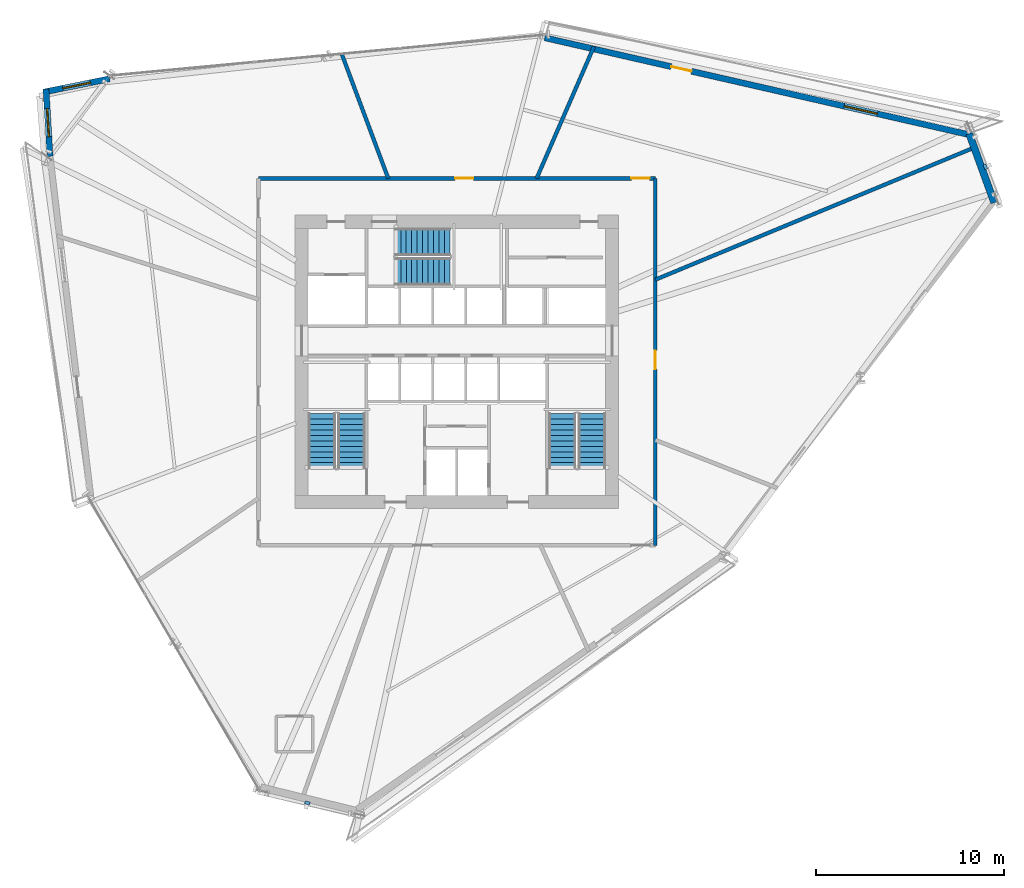
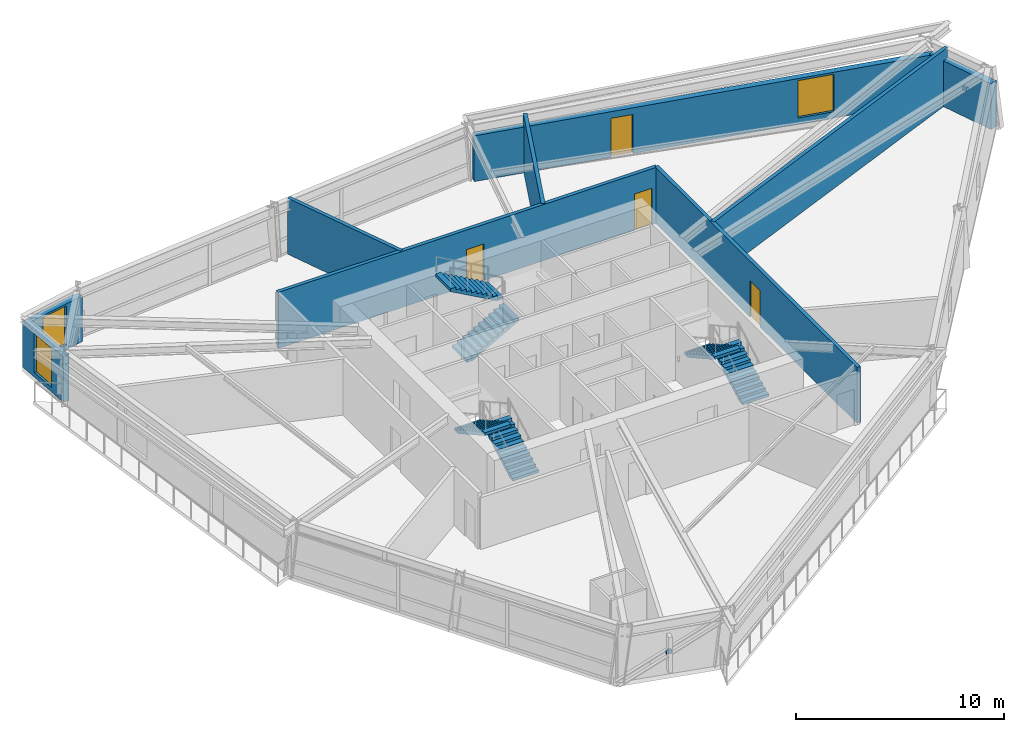
# One storey, part 13 of 17: 9 walls, 6 stair flights, 4 doors, 3 windows, 2 discrete accessories, 7 openings, 3 elements without a shape of their own.
"""IFC4 building model written with IfcOpenShell, lengths in metres."""

from ifc_helpers import new_model, si_unit, direction, frame, frame_2d, origin, origin_2d, place, context, subcontext, project, spatial, polyline, rectangle, outline, extrude, source, transform, mapped, material, layer, layer_set, type_object, type_shapes, element, fill, aggregate, save


model = new_model("IFC4")

# Units and contexts
model_context = context("Model", 3, precision=1e-05, world=origin(), true_north=direction((0.0, 1.0)))
body_context = subcontext(model_context, "Body", "Model", "MODEL_VIEW")
ifc_project = project(units=[si_unit("LENGTHUNIT", "METRE"), si_unit("AREAUNIT", "SQUARE_METRE"), si_unit("VOLUMEUNIT", "CUBIC_METRE"), si_unit("PLANEANGLEUNIT", "RADIAN"), si_unit("MASSUNIT", "GRAM", prefix="KILO")], contexts=[model_context])

# Site, building, storey
site_placement = place(None, origin())
site = spatial("IfcSite", under=ifc_project, at=site_placement, CompositionType="ELEMENT")
building_placement = place(site_placement, origin())
building = spatial("IfcBuilding", under=site, at=building_placement, Name="Olszyna Solenne Hotel", CompositionType="ELEMENT")
storey_placement = place(building_placement, frame((0.0, 0.0, 116.35009765625)))
storey = spatial("IfcBuildingStorey", under=building, at=storey_placement, Name="L30", CompositionType="ELEMENT", Elevation=116.35009765625)

# Wall, opening, window
ifc_material_1 = material(Name="Precast concrete C45/55", Category="concrete")
ifc_layer_1 = layer(ifc_material_1, 0.320068359375, Name="Precast concrete C45/55")
ifc_layer_set_1 = layer_set([ifc_layer_1], Name="Precast concrete C45/55")
wall_type_1 = type_object("IfcWallType", Name="WL-EX320", PredefinedType="SOLIDWALL", material=ifc_layer_set_1)
wall_1_placement = place(storey_placement, frame((16.3740234375, 37.52685546875, 0.0), z_axis=(0.0, 0.0, 1.0), x_axis=(-0.059001592377, 0.998257888572, 0.0)))
wall_1 = element("IfcWall", 1, at=wall_1_placement, inside=storey, type_object=wall_type_1, Name="Exterior terracotta-precast frame wall WL-EX320 EW-L30-05", PredefinedType="SOLIDWALL", context=body_context, shape_type="SweptSolid", body=[
    extrude(rectangle(XDim=3.58349609375, YDim=0.320068359375, at=frame_2d((1.791748046875, 0.0))), origin(), (0.0, 0.0, 1.0), 2.69189453125),
])
opening_1_placement = place(wall_1_placement, frame((1.0419921875, 0.0, 0.27197265625)))
opening_1 = element("IfcOpeningElement", 2, at=opening_1_placement, cuts=wall_1, Name="Opening WN-L30-170", PredefinedType="OPENING", context=body_context, shape_type="SweptSolid", body=[
    extrude(rectangle(XDim=1.5, YDim=2.300048828125, at=frame_2d((0.75, 1.14990234375))), frame((0.0, 0.169921875, 0.0), z_axis=(0.0, -1.0, 0.0), x_axis=(1.0, 0.0, 0.0)), (0.0, 0.0, 1.0), 0.340087890625),
])
ifc_material_2 = material(Name="Low-E triple glazing", Category="glass")
window_type_1 = type_object("IfcWindowType", Name="WN-CH1", PartitioningType="SINGLE_PANEL", PredefinedType="WINDOW", material=ifc_material_2)
shared_shape_1 = source(origin(), body_context, "Body", "SweptSolid", [
    extrude(rectangle(XDim=1.5, YDim=2.300048828125, at=frame_2d((0.75, 1.14990234375))), frame((0.0, 0.030029296875, 0.0), z_axis=(0.0, -1.0, 0.0), x_axis=(1.0, 0.0, 0.0)), (0.0, 0.0, 1.0), 0.06005859375),
])
type_shapes(window_type_1, [shared_shape_1])
window_1_placement = place(opening_1_placement, origin())
window_1 = element("IfcWindow", 3, at=window_1_placement, inside=storey, type_object=window_type_1, Name="Exterior facade window WN-CH1 WN-L30-170", OverallHeight=2.300048828125, OverallWidth=1.5, PartitioningType="SINGLE_PANEL", PredefinedType="WINDOW", context=body_context, shape_type="MappedRepresentation", body=[
    mapped(shared_shape_1, transform((0.0, 0.0, 0.0), x_axis=(1.0, 0.0, 0.0), y_axis=(0.0, 1.0, 0.0), z_axis=(0.0, 0.0, 1.0), scale=1.0)),
])
fill(opening_1, window_1)

wall_2_placement = place(storey_placement, frame((16.03466796875, 40.937744140625, 0.0), z_axis=(0.0, 0.0, 1.0), x_axis=(0.98019093966, 0.198054845457, 0.0)))
wall_2 = element("IfcWall", 4, at=wall_2_placement, inside=storey, type_object=wall_type_1, Name="Exterior terracotta-precast frame wall WL-EX320 EW-L30-06", PredefinedType="SOLIDWALL", context=body_context, shape_type="SweptSolid", body=[
    extrude(rectangle(XDim=3.58349609375, YDim=0.320068359375, at=frame_2d((1.791748046875, 0.0))), origin(), (0.0, 0.0, 1.0), 2.69189453125),
])
opening_2_placement = place(wall_2_placement, frame((1.0419921875, 0.0, 0.27197265625)))
opening_2 = element("IfcOpeningElement", 5, at=opening_2_placement, cuts=wall_2, Name="Opening WN-L30-171", PredefinedType="OPENING", context=body_context, shape_type="SweptSolid", body=[
    extrude(rectangle(XDim=1.5, YDim=2.300048828125, at=frame_2d((0.75, 1.14990234375))), frame((0.0, 0.169921875, 0.0), z_axis=(0.0, -1.0, 0.0), x_axis=(1.0, 0.0, 0.0)), (0.0, 0.0, 1.0), 0.340087890625),
])
window_2_placement = place(opening_2_placement, origin())
window_2 = element("IfcWindow", 6, at=window_2_placement, inside=storey, type_object=window_type_1, Name="Exterior facade window WN-CH1 WN-L30-171", OverallHeight=2.300048828125, OverallWidth=1.5, PartitioningType="SINGLE_PANEL", PredefinedType="WINDOW", context=body_context, shape_type="MappedRepresentation", body=[
    mapped(shared_shape_1, transform((0.0, 0.0, 0.0), x_axis=(1.0, 0.0, 0.0), y_axis=(0.0, 1.0, 0.0), z_axis=(0.0, 0.0, 1.0), scale=1.0)),
])
fill(opening_2, window_2)

# Wall, openings, door, window
wall_3_placement = place(storey_placement, frame((42.668212890625, 43.827880859375, 0.0), z_axis=(0.0, 0.0, 1.0), x_axis=(0.974904675979, -0.222622713923, 0.0)))
wall_3 = element("IfcWall", 7, at=wall_3_placement, inside=storey, type_object=wall_type_1, Name="Exterior terracotta-precast frame wall WL-EX320 EW-L30-08", PredefinedType="SOLIDWALL", context=body_context, shape_type="SweptSolid", body=[
    extrude(rectangle(XDim=23.290771484375, YDim=0.320068359375, at=frame_2d((11.6455078125, 0.0))), origin(), (0.0, 0.0, 1.0), 2.69189453125),
])
opening_3_placement = place(wall_3_placement, frame((6.903076171875, 0.0, 0.0)))
opening_3 = element("IfcOpeningElement", 8, at=opening_3_placement, cuts=wall_3, Name="Opening LDG-L30-1", PredefinedType="OPENING", context=body_context, shape_type="SweptSolid", body=[
    extrude(rectangle(XDim=1.10009765625, YDim=2.300048828125, at=frame_2d((0.550048828125, 1.14990234375))), frame((0.0, 0.169921875, 0.0), z_axis=(0.0, -1.0, 0.0), x_axis=(1.0, 0.0, 0.0)), (0.0, 0.0, 1.0), 0.340087890625),
])
opening_4_placement = place(wall_3_placement, frame((16.3349609375, 0.0, 0.3720703125)))
opening_4 = element("IfcOpeningElement", 9, at=opening_4_placement, cuts=wall_3, Name="Opening WN-L30-172", PredefinedType="OPENING", context=body_context, shape_type="SweptSolid", body=[
    extrude(rectangle(XDim=1.800048828125, YDim=2.199951171875, at=frame_2d((0.89990234375, 1.10009765625))), frame((0.0, 0.169921875, 0.0), z_axis=(0.0, -1.0, 0.0), x_axis=(1.0, 0.0, 0.0)), (0.0, 0.0, 1.0), 0.340087890625),
])
ifc_material_3 = material(Name="Anodised bronze aluminium", Category="aluminium")
door_type_1 = type_object("IfcDoorType", Name="DR-LG1", OperationType="NOTDEFINED", PredefinedType="DOOR", material=ifc_material_3)
shared_shape_2 = source(origin(), body_context, "Body", "SweptSolid", [
    extrude(rectangle(XDim=1.10009765625, YDim=2.300048828125, at=frame_2d((0.550048828125, 1.14990234375))), frame((0.0, 0.02490234375, 0.0), z_axis=(0.0, -1.0, 0.0), x_axis=(1.0, 0.0, 0.0)), (0.0, 0.0, 1.0), 0.050048828125),
])
type_shapes(door_type_1, [shared_shape_2])
door_1_placement = place(opening_3_placement, origin())
door_1 = element("IfcDoor", 10, at=door_1_placement, inside=storey, type_object=door_type_1, Name="Exterior loggia balcony door DR-LG1 LDG-L30-1", OperationType="SINGLE_SWING_RIGHT", OverallHeight=2.300048828125, OverallWidth=1.10009765625, PredefinedType="DOOR", context=body_context, shape_type="MappedRepresentation", body=[
    mapped(shared_shape_2, transform((0.0, 0.0, 0.0), x_axis=(1.0, 0.0, 0.0), y_axis=(0.0, 1.0, 0.0), z_axis=(0.0, 0.0, 1.0), scale=1.0)),
])
fill(opening_3, door_1)
window_type_2 = type_object("IfcWindowType", Name="WN-HT1", PartitioningType="SINGLE_PANEL", PredefinedType="WINDOW", material=ifc_material_2)
shared_shape_3 = source(origin(), body_context, "Body", "SweptSolid", [
    extrude(rectangle(XDim=1.800048828125, YDim=2.199951171875, at=frame_2d((0.89990234375, 1.10009765625))), frame((0.0, 0.030029296875, 0.0), z_axis=(0.0, -1.0, 0.0), x_axis=(1.0, 0.0, 0.0)), (0.0, 0.0, 1.0), 0.06005859375),
])
type_shapes(window_type_2, [shared_shape_3])
window_3_placement = place(opening_4_placement, origin())
window_3 = element("IfcWindow", 11, at=window_3_placement, inside=storey, type_object=window_type_2, Name="Loggia room window WN-HT1 WN-L30-172", OverallHeight=2.199951171875, OverallWidth=1.800048828125, PartitioningType="SINGLE_PANEL", PredefinedType="WINDOW", context=body_context, shape_type="MappedRepresentation", body=[
    mapped(shared_shape_3, transform((0.0, 0.0, 0.0), x_axis=(1.0, 0.0, 0.0), y_axis=(0.0, 1.0, 0.0), z_axis=(0.0, 0.0, 1.0), scale=1.0)),
])
fill(opening_4, window_3)

# Walls
ifc_material_4 = material(Name="Terracotta cladding on precast concrete C45/55", Category="masonry")
ifc_layer_2 = layer(ifc_material_4, 0.3798828125, Name="Terracotta cladding on precast concrete C45/55")
ifc_layer_set_2 = layer_set([ifc_layer_2], Name="Terracotta cladding on precast concrete C45/55")
wall_type_2 = type_object("IfcWallType", Name="WL-EX380", PredefinedType="SOLIDWALL", material=ifc_layer_set_2)
wall_4_placement = place(storey_placement, frame((65.231689453125, 38.734130859375, 0.0), z_axis=(0.0, 0.0, 1.0), x_axis=(0.341220774619, -0.93998318228, 0.0)))
element("IfcWall", 12, at=wall_4_placement, inside=storey, type_object=wall_type_2, Name="Exterior terracotta-precast frame wall WL-EX380 EW-L30-09", PredefinedType="SOLIDWALL", context=body_context, shape_type="SweptSolid", body=[
    extrude(rectangle(XDim=3.90380859375, YDim=0.3798828125, at=frame_2d((1.951904296875, 0.0))), origin(), (0.0, 0.0, 1.0), 2.69189453125),
])
ifc_material_5 = material(Name="Acoustic gypsum partition", Category="gypsum")
ifc_layer_3 = layer(ifc_material_5, 0.199951171875, Name="Acoustic gypsum partition")
ifc_layer_set_3 = layer_set([ifc_layer_3], Name="Acoustic gypsum partition")
wall_type_3 = type_object("IfcWallType", Name="WL-PT200", PredefinedType="PARTITIONING", material=ifc_layer_set_3)
wall_5_placement = place(storey_placement, frame((48.550048828125, 30.969970703125, 0.0), z_axis=(0.0, 0.0, 1.0), x_axis=(0.923878084322, 0.382686928585, 0.0)))
element("IfcWall", 13, at=wall_5_placement, inside=storey, type_object=wall_type_3, Name="Interior acoustic partition WL-PT200 PW-L30-1737", PredefinedType="PARTITIONING", context=body_context, shape_type="SweptSolid", body=[
    extrude(rectangle(XDim=18.508056640625, YDim=0.199951171875, at=frame_2d((9.25390625, 0.0))), origin(), (0.0, 0.0, 1.0), 3.2998046875),
])
wall_6_placement = place(storey_placement, frame((42.239501953125, 36.35009765625, 0.0), z_axis=(0.0, 0.0, 1.0), x_axis=(0.39876113376, 0.917054828351, 0.0)))
element("IfcWall", 14, at=wall_6_placement, inside=storey, type_object=wall_type_3, Name="Interior acoustic partition WL-PT200 PW-L30-1738", PredefinedType="PARTITIONING", context=body_context, shape_type="SweptSolid", body=[
    extrude(rectangle(XDim=7.64697265625, YDim=0.199951171875, at=frame_2d((3.823486328125, 0.0))), origin(), (0.0, 0.0, 1.0), 3.2998046875),
])
wall_7_placement = place(storey_placement, frame((34.3544921875, 36.35009765625, 0.0), z_axis=(0.0, 0.0, 1.0), x_axis=(-0.350202617088, 0.936673970485, 0.0)))
element("IfcWall", 15, at=wall_7_placement, inside=storey, type_object=wall_type_3, Name="Interior acoustic partition WL-PT200 PW-L30-1739", PredefinedType="PARTITIONING", context=body_context, shape_type="SweptSolid", body=[
    extrude(rectangle(XDim=7.03271484375, YDim=0.199951171875, at=frame_2d((3.516357421875, 0.0))), origin(), (0.0, 0.0, 1.0), 3.2998046875),
])

# Wall, openings, doors
wall_8_placement = place(storey_placement, frame((27.449951171875, 36.35009765625, 0.0), z_axis=(0.0, 0.0, 1.0), x_axis=(1.0, 0.0, 0.0)))
wall_8 = element("IfcWall", 16, at=wall_8_placement, inside=storey, type_object=wall_type_3, Name="Interior acoustic partition WL-PT200 PW-L30-1748", PredefinedType="PARTITIONING", context=body_context, shape_type="SweptSolid", body=[
    extrude(rectangle(XDim=21.10009765625, YDim=0.199951171875, at=frame_2d((10.550048828125, 0.0))), origin(), (0.0, 0.0, 1.0), 3.2998046875),
])
opening_5_placement = place(wall_8_placement, frame((19.820068359375, 0.0, 0.0)))
opening_5 = element("IfcOpeningElement", 17, at=opening_5_placement, cuts=wall_8, Name="Opening DR-L30-0419", PredefinedType="OPENING", context=body_context, shape_type="SweptSolid", body=[
    extrude(rectangle(XDim=0.97998046875, YDim=2.14990234375, at=frame_2d((0.489990234375, 1.074951171875))), frame((0.0, 0.10986328125, 0.0), z_axis=(0.0, -1.0, 0.0), x_axis=(1.0, 0.0, 0.0)), (0.0, 0.0, 1.0), 0.219970703125),
])
opening_6_placement = place(wall_8_placement, frame((10.4541015625, 0.0, 0.0)))
opening_6 = element("IfcOpeningElement", 18, at=opening_6_placement, cuts=wall_8, Name="Opening DR-L30-0420", PredefinedType="OPENING", context=body_context, shape_type="SweptSolid", body=[
    extrude(rectangle(XDim=0.97998046875, YDim=2.14990234375, at=frame_2d((0.489990234375, 1.074951171875))), frame((0.0, 0.10986328125, 0.0), z_axis=(0.0, -1.0, 0.0), x_axis=(1.0, 0.0, 0.0)), (0.0, 0.0, 1.0), 0.219970703125),
])
ifc_material_6 = material(Name="Timber hardwood", Category="wood")
door_type_2 = type_object("IfcDoorType", Name="DR-RM1", OperationType="NOTDEFINED", PredefinedType="DOOR", material=ifc_material_6)
shared_shape_4 = source(origin(), body_context, "Body", "SweptSolid", [
    extrude(rectangle(XDim=0.97998046875, YDim=2.14990234375, at=frame_2d((0.489990234375, 1.074951171875))), frame((0.0, 0.02490234375, 0.0), z_axis=(0.0, -1.0, 0.0), x_axis=(1.0, 0.0, 0.0)), (0.0, 0.0, 1.0), 0.050048828125),
])
type_shapes(door_type_2, [shared_shape_4])
door_2_placement = place(opening_5_placement, origin())
door_2 = element("IfcDoor", 19, at=door_2_placement, inside=storey, type_object=door_type_2, Name="Private Business Office Entrance Door DR-L30-0419", OperationType="SINGLE_SWING_RIGHT", OverallHeight=2.14990234375, OverallWidth=0.97998046875, PredefinedType="DOOR", context=body_context, shape_type="MappedRepresentation", body=[
    mapped(shared_shape_4, transform((0.0, 0.0, 0.0), x_axis=(1.0, 0.0, 0.0), y_axis=(0.0, 1.0, 0.0), z_axis=(0.0, 0.0, 1.0), scale=1.0)),
])
fill(opening_5, door_2)
door_3_placement = place(opening_6_placement, origin())
door_3 = element("IfcDoor", 20, at=door_3_placement, inside=storey, type_object=door_type_2, Name="Private Business Office Entrance Door DR-L30-0420", OperationType="SINGLE_SWING_LEFT", OverallHeight=2.14990234375, OverallWidth=0.97998046875, PredefinedType="DOOR", context=body_context, shape_type="MappedRepresentation", body=[
    mapped(shared_shape_4, transform((0.0, 0.0, 0.0), x_axis=(1.0, 0.0, 0.0), y_axis=(0.0, 1.0, 0.0), z_axis=(0.0, 0.0, 1.0), scale=1.0)),
])
fill(opening_6, door_3)

# Wall, opening, door
wall_9_placement = place(storey_placement, frame((48.550048828125, 16.85009765625, 0.0), z_axis=(0.0, 0.0, 1.0), x_axis=(0.0, 1.0, 0.0)))
wall_9 = element("IfcWall", 21, at=wall_9_placement, inside=storey, type_object=wall_type_3, Name="Interior acoustic partition WL-PT200 PW-L30-1749", PredefinedType="PARTITIONING", context=body_context, shape_type="SweptSolid", body=[
    extrude(rectangle(XDim=19.5, YDim=0.199951171875, at=frame_2d((9.75, 0.0))), origin(), (0.0, 0.0, 1.0), 3.2998046875),
])
opening_7_placement = place(wall_9_placement, frame((9.367919921875, 0.0, 0.0)))
opening_7 = element("IfcOpeningElement", 22, at=opening_7_placement, cuts=wall_9, Name="Opening DR-L30-0421", PredefinedType="OPENING", context=body_context, shape_type="SweptSolid", body=[
    extrude(rectangle(XDim=0.97998046875, YDim=2.14990234375, at=frame_2d((0.489990234375, 1.074951171875))), frame((0.0, 0.10986328125, 0.0), z_axis=(0.0, -1.0, 0.0), x_axis=(1.0, 0.0, 0.0)), (0.0, 0.0, 1.0), 0.219970703125),
])
door_4_placement = place(opening_7_placement, origin())
door_4 = element("IfcDoor", 23, at=door_4_placement, inside=storey, type_object=door_type_2, Name="Private Business Office Entrance Door DR-L30-0421", OperationType="SINGLE_SWING_LEFT", OverallHeight=2.14990234375, OverallWidth=0.97998046875, PredefinedType="DOOR", context=body_context, shape_type="MappedRepresentation", body=[
    mapped(shared_shape_4, transform((0.0, 0.0, 0.0), x_axis=(1.0, 0.0, 0.0), y_axis=(0.0, 1.0, 0.0), z_axis=(0.0, 0.0, 1.0), scale=1.0)),
])
fill(opening_7, door_4)

# Stair, stair flights
ifc_material_7 = material(Name="Concrete C40/50", Category="concrete")
stair_type = type_object("IfcStairType", Name="STR-C1", PredefinedType="TWO_QUARTER_WINDING_STAIR", material=ifc_material_7)
stair_1_placement = place(storey_placement, origin())
stair_1 = element("IfcStair", 24, at=stair_1_placement, inside=storey, type_object=stair_type, Name="L30 ST1", PredefinedType="TWO_QUARTER_WINDING_STAIR")
stair_flight_type = type_object("IfcStairFlightType", Name="FLT-C1", PredefinedType="STRAIGHT", material=ifc_material_7)
stair_flight_1_placement = place(storey_placement, frame((32.39501953125, 20.949951171875, 0.0), z_axis=(0.0, 0.0, 1.0), x_axis=(0.0, 1.0, 0.0)))
stair_flight_1 = element("IfcStairFlight", 25, at=stair_flight_1_placement, type_object=stair_flight_type, Name="ST1 flight 1", NumberOfRisers=11, NumberOfTreads=10, PredefinedType="STRAIGHT", RiserHeight=0.161363636, TreadLength=0.29, context=body_context, shape_type="SweptSolid", body=[
    extrude(outline(polyline([(0.0, 0.0), (0.0, 0.161376953125), (0.2900390625, 0.161376953125), (0.2900390625, 0.32275390625), (0.580078125, 0.32275390625), (0.580078125, 0.484130859375), (0.8701171875, 0.484130859375), (0.8701171875, 0.6455078125), (1.159912109375, 0.6455078125), (1.159912109375, 0.806884765625), (1.449951171875, 0.806884765625), (1.449951171875, 0.96826171875), (1.739990234375, 0.96826171875), (1.739990234375, 1.129638671875), (2.030029296875, 1.129638671875), (2.030029296875, 1.291015625), (2.320068359375, 1.291015625), (2.320068359375, 1.452392578125), (2.610107421875, 1.452392578125), (2.610107421875, 1.613525390625), (2.89990234375, 1.613525390625), (2.89990234375, 1.77490234375), (2.89990234375, 1.442138671875), (0.308349609375, 0.0), (0.0, 0.0)])), frame((0.0, 0.72509765625, 0.0), z_axis=(0.0, -1.0, 0.0), x_axis=(1.0, 0.0, 0.0)), (0.0, 0.0, 1.0), 1.449951171875),
])
stair_flight_2_placement = place(storey_placement, frame((30.824951171875, 23.85009765625, 1.77490234375), z_axis=(0.0, 0.0, 1.0), x_axis=(0.0, -1.0, 0.0)))
stair_flight_2 = element("IfcStairFlight", 26, at=stair_flight_2_placement, type_object=stair_flight_type, Name="ST1 flight 2", NumberOfRisers=11, NumberOfTreads=10, PredefinedType="STRAIGHT", RiserHeight=0.161363636, TreadLength=0.29, context=body_context, shape_type="SweptSolid", body=[
    extrude(outline(polyline([(0.0, 0.0), (0.0, 0.161376953125), (0.2900390625, 0.161376953125), (0.2900390625, 0.32275390625), (0.580078125, 0.32275390625), (0.580078125, 0.484130859375), (0.8701171875, 0.484130859375), (0.8701171875, 0.6455078125), (1.159912109375, 0.6455078125), (1.159912109375, 0.806884765625), (1.449951171875, 0.806884765625), (1.449951171875, 0.96826171875), (1.739990234375, 0.96826171875), (1.739990234375, 1.129638671875), (2.030029296875, 1.129638671875), (2.030029296875, 1.291015625), (2.320068359375, 1.291015625), (2.320068359375, 1.452392578125), (2.610107421875, 1.452392578125), (2.610107421875, 1.613525390625), (2.89990234375, 1.613525390625), (2.89990234375, 1.77490234375), (2.89990234375, 1.442138671875), (0.308349609375, 0.0), (0.0, 0.0)])), frame((0.0, 0.72509765625, 0.0), z_axis=(0.0, -1.0, 0.0), x_axis=(1.0, 0.0, 0.0)), (0.0, 0.0, 1.0), 1.449951171875),
])
aggregate(stair_1, [stair_flight_1, stair_flight_2])

stair_2_placement = place(storey_placement, origin())
stair_2 = element("IfcStair", 27, at=stair_2_placement, inside=storey, type_object=stair_type, Name="L30 ST2", PredefinedType="TWO_QUARTER_WINDING_STAIR")
stair_flight_3_placement = place(storey_placement, frame((45.175048828125, 20.949951171875, 0.0), z_axis=(0.0, 0.0, 1.0), x_axis=(0.0, 1.0, 0.0)))
stair_flight_3 = element("IfcStairFlight", 28, at=stair_flight_3_placement, type_object=stair_flight_type, Name="ST2 flight 1", NumberOfRisers=11, NumberOfTreads=10, PredefinedType="STRAIGHT", RiserHeight=0.161363636, TreadLength=0.29, context=body_context, shape_type="SweptSolid", body=[
    extrude(outline(polyline([(0.0, 0.0), (0.0, 0.161376953125), (0.2900390625, 0.161376953125), (0.2900390625, 0.32275390625), (0.580078125, 0.32275390625), (0.580078125, 0.484130859375), (0.8701171875, 0.484130859375), (0.8701171875, 0.6455078125), (1.159912109375, 0.6455078125), (1.159912109375, 0.806884765625), (1.449951171875, 0.806884765625), (1.449951171875, 0.96826171875), (1.739990234375, 0.96826171875), (1.739990234375, 1.129638671875), (2.030029296875, 1.129638671875), (2.030029296875, 1.291015625), (2.320068359375, 1.291015625), (2.320068359375, 1.452392578125), (2.610107421875, 1.452392578125), (2.610107421875, 1.613525390625), (2.89990234375, 1.613525390625), (2.89990234375, 1.77490234375), (2.89990234375, 1.442138671875), (0.308349609375, 0.0), (0.0, 0.0)])), frame((0.0, 0.72509765625, 0.0), z_axis=(0.0, -1.0, 0.0), x_axis=(1.0, 0.0, 0.0)), (0.0, 0.0, 1.0), 1.449951171875),
])
stair_flight_4_placement = place(storey_placement, frame((43.60498046875, 23.85009765625, 1.77490234375), z_axis=(0.0, 0.0, 1.0), x_axis=(0.0, -1.0, 0.0)))
stair_flight_4 = element("IfcStairFlight", 29, at=stair_flight_4_placement, type_object=stair_flight_type, Name="ST2 flight 2", NumberOfRisers=11, NumberOfTreads=10, PredefinedType="STRAIGHT", RiserHeight=0.161363636, TreadLength=0.29, context=body_context, shape_type="SweptSolid", body=[
    extrude(outline(polyline([(0.0, 0.0), (0.0, 0.161376953125), (0.2900390625, 0.161376953125), (0.2900390625, 0.32275390625), (0.580078125, 0.32275390625), (0.580078125, 0.484130859375), (0.8701171875, 0.484130859375), (0.8701171875, 0.6455078125), (1.159912109375, 0.6455078125), (1.159912109375, 0.806884765625), (1.449951171875, 0.806884765625), (1.449951171875, 0.96826171875), (1.739990234375, 0.96826171875), (1.739990234375, 1.129638671875), (2.030029296875, 1.129638671875), (2.030029296875, 1.291015625), (2.320068359375, 1.291015625), (2.320068359375, 1.452392578125), (2.610107421875, 1.452392578125), (2.610107421875, 1.613525390625), (2.89990234375, 1.613525390625), (2.89990234375, 1.77490234375), (2.89990234375, 1.442138671875), (0.308349609375, 0.0), (0.0, 0.0)])), frame((0.0, 0.72509765625, 0.0), z_axis=(0.0, -1.0, 0.0), x_axis=(1.0, 0.0, 0.0)), (0.0, 0.0, 1.0), 1.449951171875),
])
aggregate(stair_2, [stair_flight_3, stair_flight_4])

stair_3_placement = place(storey_placement, origin())
stair_3 = element("IfcStair", 30, at=stair_3_placement, inside=storey, type_object=stair_type, Name="L30 ST3", PredefinedType="TWO_QUARTER_WINDING_STAIR")
stair_flight_5_placement = place(storey_placement, frame((34.72998046875, 31.405029296875, 0.0), z_axis=(0.0, 0.0, 1.0), x_axis=(1.0, 0.0, 0.0)))
stair_flight_5 = element("IfcStairFlight", 31, at=stair_flight_5_placement, type_object=stair_flight_type, Name="ST3 flight 1", NumberOfRisers=11, NumberOfTreads=10, PredefinedType="STRAIGHT", RiserHeight=0.161363636, TreadLength=0.29, context=body_context, shape_type="SweptSolid", body=[
    extrude(outline(polyline([(0.0, 0.0), (0.0, 0.161376953125), (0.2900390625, 0.161376953125), (0.2900390625, 0.32275390625), (0.580078125, 0.32275390625), (0.580078125, 0.484130859375), (0.8701171875, 0.484130859375), (0.8701171875, 0.6455078125), (1.159912109375, 0.6455078125), (1.159912109375, 0.806884765625), (1.449951171875, 0.806884765625), (1.449951171875, 0.96826171875), (1.739990234375, 0.96826171875), (1.739990234375, 1.129638671875), (2.030029296875, 1.129638671875), (2.030029296875, 1.291015625), (2.320068359375, 1.291015625), (2.320068359375, 1.452392578125), (2.610107421875, 1.452392578125), (2.610107421875, 1.613525390625), (2.89990234375, 1.613525390625), (2.89990234375, 1.77490234375), (2.89990234375, 1.442138671875), (0.308349609375, 0.0), (0.0, 0.0)])), frame((0.0, 0.72509765625, 0.0), z_axis=(0.0, -1.0, 0.0), x_axis=(1.0, 0.0, 0.0)), (0.0, 0.0, 1.0), 1.449951171875),
])
stair_flight_6_placement = place(storey_placement, frame((37.6298828125, 32.97509765625, 1.77490234375), z_axis=(0.0, 0.0, 1.0), x_axis=(-1.0, 0.0, 0.0)))
stair_flight_6 = element("IfcStairFlight", 32, at=stair_flight_6_placement, type_object=stair_flight_type, Name="ST3 flight 2", NumberOfRisers=11, NumberOfTreads=10, PredefinedType="STRAIGHT", RiserHeight=0.161363636, TreadLength=0.29, context=body_context, shape_type="SweptSolid", body=[
    extrude(outline(polyline([(0.0, 0.0), (0.0, 0.161376953125), (0.2900390625, 0.161376953125), (0.2900390625, 0.32275390625), (0.580078125, 0.32275390625), (0.580078125, 0.484130859375), (0.8701171875, 0.484130859375), (0.8701171875, 0.6455078125), (1.159912109375, 0.6455078125), (1.159912109375, 0.806884765625), (1.449951171875, 0.806884765625), (1.449951171875, 0.96826171875), (1.739990234375, 0.96826171875), (1.739990234375, 1.129638671875), (2.030029296875, 1.129638671875), (2.030029296875, 1.291015625), (2.320068359375, 1.291015625), (2.320068359375, 1.452392578125), (2.610107421875, 1.452392578125), (2.610107421875, 1.613525390625), (2.89990234375, 1.613525390625), (2.89990234375, 1.77490234375), (2.89990234375, 1.442138671875), (0.308349609375, 0.0), (0.0, 0.0)])), frame((0.0, 0.72509765625, 0.0), z_axis=(0.0, -1.0, 0.0), x_axis=(1.0, 0.0, 0.0)), (0.0, 0.0, 1.0), 1.449951171875),
])
aggregate(stair_3, [stair_flight_5, stair_flight_6])

# Discrete accessories
ifc_material_8 = material(Name="Steel S355J2", Category="steel")
discrete_accessory_type = type_object("IfcDiscreteAccessoryType", Name="BRK-01", PredefinedType="BRACKET", material=ifc_material_8)
shared_shape_5 = source(origin(), body_context, "Body", "SweptSolid", [
    extrude(rectangle(XDim=0.280029296875, YDim=0.159912109375, at=origin_2d()), origin(), (0.0, 0.0, 1.0), 0.219970703125),
])
for number, where, z_axis, x_axis, name in (
    (33, (30.055419921875, 3.160400390625, 1.23583984375), (0.0, 0.0, 1.0), (-0.970716481578, 0.240228042477, 0.0), "Facade support bracket BRK-FN-L30-02"),
    (34, (66.09033203125, 36.96923828125, 1.23583984375), (0.0, 0.0, 1.0), (0.341199976689, -0.93999073182, 0.0), "Facade support bracket BRK-FN-L30-09"),
):
    element("IfcDiscreteAccessory", number, at=place(storey_placement, frame(where, z_axis=z_axis, x_axis=x_axis)), inside=storey, type_object=discrete_accessory_type, Name=name, PredefinedType="BRACKET", context=body_context, shape_type="MappedRepresentation", body=[
        mapped(shared_shape_5, transform((0.0, 0.0, 0.0), x_axis=(1.0, 0.0, 0.0), y_axis=(0.0, 1.0, 0.0), z_axis=(0.0, 0.0, 1.0), scale=1.0)),
    ])

save(model, "model.ifc")
